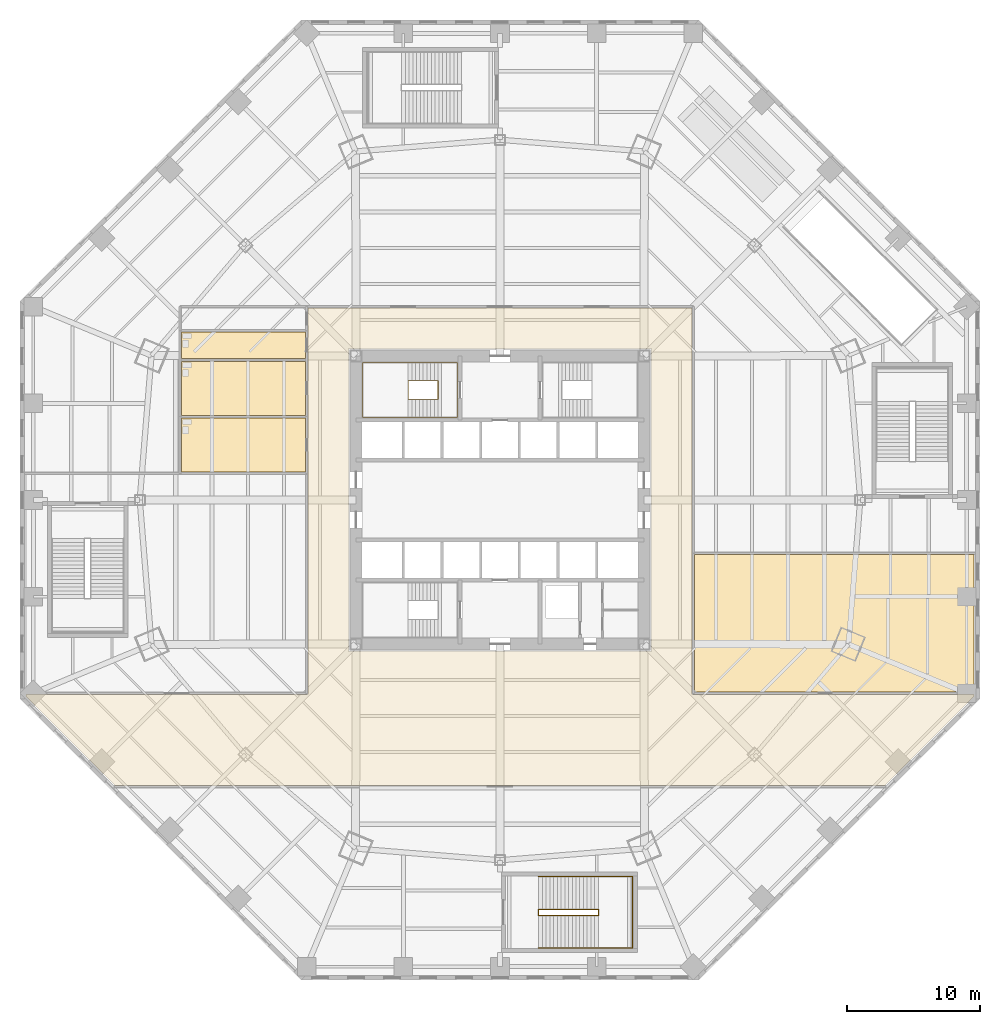
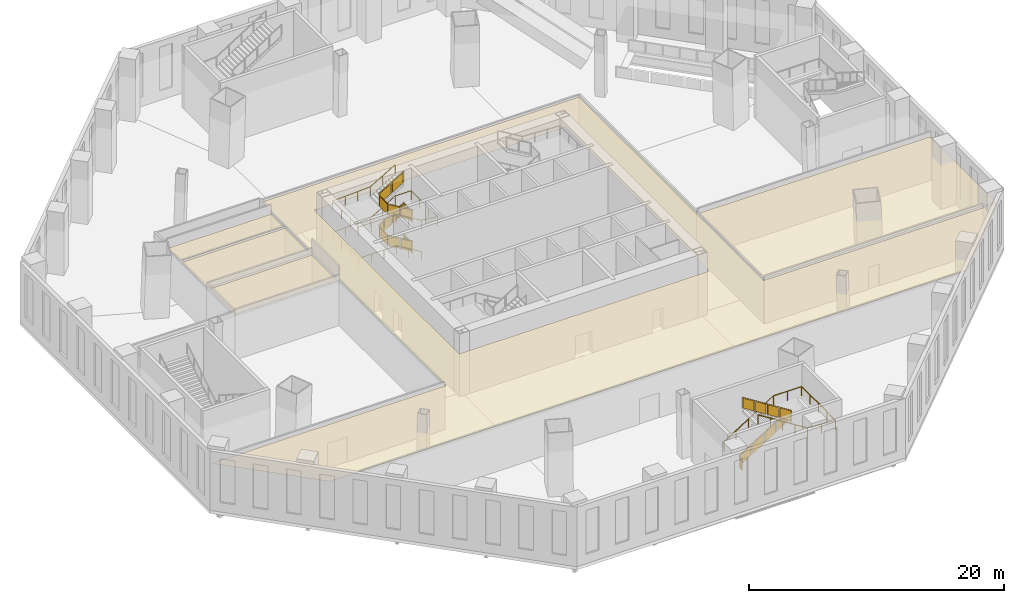
# One storey, part 16 of 20: 5 coverings, 4 railings.
"""IFC4 building model written with IfcOpenShell, lengths in metres."""

from ifc_helpers import new_model, si_unit, direction, frame, origin, origin_2d, place, context, subcontext, project, spatial, polyline, circle, outline, extrude, material, layer, layer_set, type_object, element, save


model = new_model("IFC4")

# Units and contexts
model_context = context("Model", 3, precision=1e-05, world=origin(), true_north=direction((0.0, 1.0)))
body_context = subcontext(model_context, "Body", "Model", "MODEL_VIEW")
ifc_project = project(units=[si_unit("LENGTHUNIT", "METRE"), si_unit("AREAUNIT", "SQUARE_METRE"), si_unit("VOLUMEUNIT", "CUBIC_METRE"), si_unit("PLANEANGLEUNIT", "RADIAN"), si_unit("MASSUNIT", "GRAM", prefix="KILO")], contexts=[model_context])

# Site, building, storey
site_placement = place(None, origin())
site = spatial("IfcSite", under=ifc_project, at=site_placement, CompositionType="ELEMENT")
building_placement = place(site_placement, origin())
building = spatial("IfcBuilding", under=site, at=building_placement, Name="Mashrafa Tower", CompositionType="ELEMENT")
storey_placement = place(building_placement, frame((0.0, 0.0, 7.199951171875)))
storey = spatial("IfcBuildingStorey", under=building, at=storey_placement, Name="L01", CompositionType="ELEMENT", Elevation=7.199951171875)

# Railings
ifc_material_1 = material(Name="Steel guard with glass infill", Category="steel")
railing_type_1 = type_object("IfcRailingType", Name="Stair guard 1100", PredefinedType="GUARDRAIL", material=ifc_material_1)
railing_1_placement = place(storey_placement, frame((-4.64990234375, 8.949951171875, 0.0)))
element("IfcRailing", 1, at=railing_1_placement, inside=storey, type_object=railing_type_1, Name="Stair S1 guard L01", PredefinedType="GUARDRAIL", context=body_context, shape_type="SweptSolid", body=[
    extrude(circle(Radius=0.02392578125, at=origin_2d()), frame((0.0, 0.0, 1.076171875), z_axis=(0.0, -1.0, 0.0), x_axis=(1.0, 0.0, 0.0)), (0.0, 0.0, 1.0), 1.39990234375),
    extrude(circle(Radius=0.02392578125, at=origin_2d()), frame((0.0, -1.39990234375, 1.076171875), z_axis=(0.0, 0.0, 1.0), x_axis=(1.0, 0.0, 0.0)), (0.0, 0.0, 1.0), 0.166748046875),
    extrude(circle(Radius=0.02392578125, at=origin_2d()), frame((0.0, -1.39990234375, 1.24267578125), z_axis=(-0.859305625298, 0.0, 0.511462454469), x_axis=(0.0, -1.0, 0.0)), (0.0, 0.0, 1.0), 2.606689453125),
    extrude(circle(Radius=0.02392578125, at=origin_2d()), frame((-2.239990234375, -1.39990234375, 2.576171875), z_axis=(0.0, 1.0, 0.0), x_axis=(-1.0, 0.0, 0.0)), (0.0, 0.0, 1.0), 1.39990234375),
    extrude(circle(Radius=0.02392578125, at=origin_2d()), frame((-2.239990234375, 0.0, 2.576171875), z_axis=(0.0, 0.0, 1.0), x_axis=(1.0, 0.0, 0.0)), (0.0, 0.0, 1.0), 0.166748046875),
    extrude(circle(Radius=0.02392578125, at=origin_2d()), frame((-2.239990234375, 0.0, 2.74267578125), z_axis=(0.859305625298, 0.0, 0.511462454469), x_axis=(0.0, 1.0, 0.0)), (0.0, 0.0, 1.0), 2.606689453125),
    extrude(circle(Radius=0.02392578125, at=origin_2d()), frame((0.0, 0.0, 4.076171875), z_axis=(0.0, -1.0, 0.0), x_axis=(1.0, 0.0, 0.0)), (0.0, 0.0, 1.0), 1.39990234375),
    extrude(circle(Radius=0.02392578125, at=origin_2d()), frame((0.0, -1.39990234375, 4.076171875), z_axis=(0.0, 0.0, 1.0), x_axis=(1.0, 0.0, 0.0)), (0.0, 0.0, 1.0), 0.166748046875),
    extrude(circle(Radius=0.02392578125, at=origin_2d()), frame((0.0, -1.39990234375, 4.24267578125), z_axis=(-0.859305625298, 0.0, 0.511462454469), x_axis=(0.0, -1.0, 0.0)), (0.0, 0.0, 1.0), 2.606689453125),
    extrude(circle(Radius=0.02392578125, at=origin_2d()), frame((-2.239990234375, -1.39990234375, 5.576171875), z_axis=(0.0, 1.0, 0.0), x_axis=(-1.0, 0.0, 0.0)), (0.0, 0.0, 1.0), 1.39990234375),
    extrude(circle(Radius=0.02392578125, at=origin_2d()), frame((-2.239990234375, 0.0, 5.576171875), z_axis=(0.0, 0.0, 1.0), x_axis=(1.0, 0.0, 0.0)), (0.0, 0.0, 1.0), 0.166748046875),
    extrude(circle(Radius=0.02392578125, at=origin_2d()), frame((-2.239990234375, 0.0, 5.74267578125), z_axis=(0.859305625298, 0.0, 0.511462454469), x_axis=(0.0, 1.0, 0.0)), (0.0, 0.0, 1.0), 2.606689453125),
    extrude(circle(Radius=0.02099609375, at=origin_2d()), origin(), (0.0, 0.0, 1.0), 1.052001953125),
    extrude(circle(Radius=0.02099609375, at=origin_2d()), frame((0.0, -1.39990234375, 0.0)), (0.0, 0.0, 1.0), 1.052001953125),
    extrude(circle(Radius=0.02099609375, at=origin_2d()), frame((0.0, -1.39990234375, 0.166748046875)), (0.0, 0.0, 1.0), 1.052001953125),
    extrude(circle(Radius=0.02099609375, at=origin_2d()), frame((-1.1201171875, -1.39990234375, 0.83349609375)), (0.0, 0.0, 1.0), 1.052001953125),
    extrude(circle(Radius=0.02099609375, at=origin_2d()), frame((-2.239990234375, -1.39990234375, 1.5)), (0.0, 0.0, 1.0), 1.052001953125),
    extrude(circle(Radius=0.02099609375, at=origin_2d()), frame((-2.239990234375, 0.0, 1.5)), (0.0, 0.0, 1.0), 1.052001953125),
    extrude(circle(Radius=0.02099609375, at=origin_2d()), frame((-2.239990234375, 0.0, 1.666748046875)), (0.0, 0.0, 1.0), 1.052001953125),
    extrude(circle(Radius=0.02099609375, at=origin_2d()), frame((-1.1201171875, 0.0, 2.33349609375)), (0.0, 0.0, 1.0), 1.052001953125),
    extrude(circle(Radius=0.02099609375, at=origin_2d()), frame((0.0, 0.0, 3.0)), (0.0, 0.0, 1.0), 1.052001953125),
    extrude(circle(Radius=0.02099609375, at=origin_2d()), frame((0.0, -1.39990234375, 3.0)), (0.0, 0.0, 1.0), 1.052001953125),
    extrude(circle(Radius=0.02099609375, at=origin_2d()), frame((0.0, -1.39990234375, 3.166748046875)), (0.0, 0.0, 1.0), 1.052001953125),
    extrude(circle(Radius=0.02099609375, at=origin_2d()), frame((-1.1201171875, -1.39990234375, 3.83349609375)), (0.0, 0.0, 1.0), 1.052001953125),
    extrude(circle(Radius=0.02099609375, at=origin_2d()), frame((-2.239990234375, -1.39990234375, 4.5)), (0.0, 0.0, 1.0), 1.052001953125),
    extrude(circle(Radius=0.02099609375, at=origin_2d()), frame((-2.239990234375, 0.0, 4.5)), (0.0, 0.0, 1.0), 1.052001953125),
    extrude(circle(Radius=0.02099609375, at=origin_2d()), frame((-2.239990234375, 0.0, 4.666748046875)), (0.0, 0.0, 1.0), 1.052001953125),
    extrude(circle(Radius=0.02099609375, at=origin_2d()), frame((-1.1201171875, 0.0, 5.33349609375)), (0.0, 0.0, 1.0), 1.052001953125),
    extrude(circle(Radius=0.02099609375, at=origin_2d()), frame((0.0, 0.0, 6.0)), (0.0, 0.0, 1.0), 1.052001953125),
    extrude(outline(polyline([(0.071044921875, 0.050048828125), (1.328857421875, 0.050048828125), (1.328857421875, 1.001953125), (0.071044921875, 1.001953125), (0.071044921875, 0.050048828125)])), frame((-0.006103515625, 0.0, 0.0), z_axis=(-1.0, 0.0, 0.0), x_axis=(0.0, -1.0, 0.0)), (0.0, 0.0, 1.0), 0.011962890625),
    extrude(outline(polyline([(0.071044921875, 0.09228515625), (1.049072265625, 0.67431640625), (1.049072265625, 1.62646484375), (0.071044921875, 1.044189453125), (0.071044921875, 0.09228515625)])), frame((0.0, -1.393798828125, 0.166748046875), z_axis=(0.0, 1.0, 0.0), x_axis=(-1.0, 0.0, 0.0)), (0.0, 0.0, 1.0), 0.011962890625),
    extrude(outline(polyline([(1.19091796875, 0.7587890625), (2.1689453125, 1.341064453125), (2.1689453125, 2.29296875), (1.19091796875, 1.7109375), (1.19091796875, 0.7587890625)])), frame((0.0, -1.393798828125, 0.166748046875), z_axis=(0.0, 1.0, 0.0), x_axis=(-1.0, 0.0, 0.0)), (0.0, 0.0, 1.0), 0.011962890625),
    extrude(outline(polyline([(0.071044921875, 0.050048828125), (1.328857421875, 0.050048828125), (1.328857421875, 1.001953125), (0.071044921875, 1.001953125), (0.071044921875, 0.050048828125)])), frame((-2.23388671875, -1.39990234375, 1.5), z_axis=(1.0, 0.0, 0.0), x_axis=(0.0, 1.0, 0.0)), (0.0, 0.0, 1.0), 0.011962890625),
    extrude(outline(polyline([(0.071044921875, 0.09228515625), (1.049072265625, 0.67431640625), (1.049072265625, 1.62646484375), (0.071044921875, 1.044189453125), (0.071044921875, 0.09228515625)])), frame((-2.239990234375, -0.006103515625, 1.666748046875), z_axis=(0.0, -1.0, 0.0), x_axis=(1.0, 0.0, 0.0)), (0.0, 0.0, 1.0), 0.011962890625),
    extrude(outline(polyline([(1.19091796875, 0.7587890625), (2.1689453125, 1.341064453125), (2.1689453125, 2.29296875), (1.19091796875, 1.7109375), (1.19091796875, 0.7587890625)])), frame((-2.239990234375, -0.006103515625, 1.666748046875), z_axis=(0.0, -1.0, 0.0), x_axis=(1.0, 0.0, 0.0)), (0.0, 0.0, 1.0), 0.011962890625),
    extrude(outline(polyline([(0.071044921875, 0.050048828125), (1.328857421875, 0.050048828125), (1.328857421875, 1.001953125), (0.071044921875, 1.001953125), (0.071044921875, 0.050048828125)])), frame((-0.006103515625, 0.0, 3.0), z_axis=(-1.0, 0.0, 0.0), x_axis=(0.0, -1.0, 0.0)), (0.0, 0.0, 1.0), 0.011962890625),
    extrude(outline(polyline([(0.071044921875, 0.09228515625), (1.049072265625, 0.67431640625), (1.049072265625, 1.62646484375), (0.071044921875, 1.044189453125), (0.071044921875, 0.09228515625)])), frame((0.0, -1.393798828125, 3.166748046875), z_axis=(0.0, 1.0, 0.0), x_axis=(-1.0, 0.0, 0.0)), (0.0, 0.0, 1.0), 0.011962890625),
    extrude(outline(polyline([(1.19091796875, 0.7587890625), (2.1689453125, 1.341064453125), (2.1689453125, 2.29296875), (1.19091796875, 1.7109375), (1.19091796875, 0.7587890625)])), frame((0.0, -1.393798828125, 3.166748046875), z_axis=(0.0, 1.0, 0.0), x_axis=(-1.0, 0.0, 0.0)), (0.0, 0.0, 1.0), 0.011962890625),
    extrude(outline(polyline([(0.071044921875, 0.050048828125), (1.328857421875, 0.050048828125), (1.328857421875, 1.001953125), (0.071044921875, 1.001953125), (0.071044921875, 0.050048828125)])), frame((-2.23388671875, -1.39990234375, 4.5), z_axis=(1.0, 0.0, 0.0), x_axis=(0.0, 1.0, 0.0)), (0.0, 0.0, 1.0), 0.011962890625),
    extrude(outline(polyline([(0.071044921875, 0.09228515625), (1.049072265625, 0.67431640625), (1.049072265625, 1.62646484375), (0.071044921875, 1.044189453125), (0.071044921875, 0.09228515625)])), frame((-2.239990234375, -0.006103515625, 4.666748046875), z_axis=(0.0, -1.0, 0.0), x_axis=(1.0, 0.0, 0.0)), (0.0, 0.0, 1.0), 0.011962890625),
    extrude(outline(polyline([(1.19091796875, 0.7587890625), (2.1689453125, 1.341064453125), (2.1689453125, 2.29296875), (1.19091796875, 1.7109375), (1.19091796875, 0.7587890625)])), frame((-2.239990234375, -0.006103515625, 4.666748046875), z_axis=(0.0, -1.0, 0.0), x_axis=(1.0, 0.0, 0.0)), (0.0, 0.0, 1.0), 0.011962890625),
])
railing_2_placement = place(storey_placement, frame((2.89990234375, -31.14990234375, 0.0)))
element("IfcRailing", 2, at=railing_2_placement, inside=storey, type_object=railing_type_1, Name="Stair P4 guard L01", PredefinedType="GUARDRAIL", context=body_context, shape_type="SweptSolid", body=[
    extrude(circle(Radius=0.02392578125, at=origin_2d()), frame((0.0, 0.0, 1.076171875), z_axis=(0.0, 1.0, 0.0), x_axis=(-1.0, 0.0, 0.0)), (0.0, 0.0, 1.0), 0.449951171875),
    extrude(circle(Radius=0.02392578125, at=origin_2d()), frame((0.0, 0.449951171875, 1.076171875), z_axis=(0.0, 0.0, 1.0), x_axis=(1.0, 0.0, 0.0)), (0.0, 0.0, 1.0), 0.176513671875),
    extrude(circle(Radius=0.02392578125, at=origin_2d()), frame((0.0, 0.449951171875, 1.25244140625), z_axis=(0.845997938375, 0.0, 0.533186166611), x_axis=(0.0, 1.0, 0.0)), (0.0, 0.0, 1.0), 5.29541015625),
    extrude(circle(Radius=0.02392578125, at=origin_2d()), frame((4.47998046875, 0.449951171875, 4.076171875), z_axis=(0.0, -1.0, 0.0), x_axis=(1.0, 0.0, 0.0)), (0.0, 0.0, 1.0), 0.449951171875),
    extrude(circle(Radius=0.02392578125, at=origin_2d()), frame((4.47998046875, 0.0, 4.076171875), z_axis=(0.0, 0.0, 1.0), x_axis=(1.0, 0.0, 0.0)), (0.0, 0.0, 1.0), 0.176513671875),
    extrude(circle(Radius=0.02392578125, at=origin_2d()), frame((4.47998046875, 0.0, 4.25244140625), z_axis=(-0.845997938375, 0.0, 0.533186166611), x_axis=(0.0, -1.0, 0.0)), (0.0, 0.0, 1.0), 5.29541015625),
    extrude(circle(Radius=0.02099609375, at=origin_2d()), origin(), (0.0, 0.0, 1.0), 1.052001953125),
    extrude(circle(Radius=0.02099609375, at=origin_2d()), frame((0.0, 0.449951171875, 0.0)), (0.0, 0.0, 1.0), 1.052001953125),
    extrude(circle(Radius=0.02099609375, at=origin_2d()), frame((0.0, 0.449951171875, 0.176513671875)), (0.0, 0.0, 1.0), 1.052001953125),
    extrude(circle(Radius=0.02099609375, at=origin_2d()), frame((1.1201171875, 0.449951171875, 0.88232421875)), (0.0, 0.0, 1.0), 1.052001953125),
    extrude(circle(Radius=0.02099609375, at=origin_2d()), frame((2.239990234375, 0.449951171875, 1.58837890625)), (0.0, 0.0, 1.0), 1.052001953125),
    extrude(circle(Radius=0.02099609375, at=origin_2d()), frame((3.35986328125, 0.449951171875, 2.294189453125)), (0.0, 0.0, 1.0), 1.052001953125),
    extrude(circle(Radius=0.02099609375, at=origin_2d()), frame((4.47998046875, 0.449951171875, 3.0)), (0.0, 0.0, 1.0), 1.052001953125),
    extrude(circle(Radius=0.02099609375, at=origin_2d()), frame((4.47998046875, 0.0, 3.0)), (0.0, 0.0, 1.0), 1.052001953125),
    extrude(circle(Radius=0.02099609375, at=origin_2d()), frame((4.47998046875, 0.0, 3.176513671875)), (0.0, 0.0, 1.0), 1.052001953125),
    extrude(circle(Radius=0.02099609375, at=origin_2d()), frame((3.35986328125, 0.0, 3.88232421875)), (0.0, 0.0, 1.0), 1.052001953125),
    extrude(circle(Radius=0.02099609375, at=origin_2d()), frame((2.239990234375, 0.0, 4.58837890625)), (0.0, 0.0, 1.0), 1.052001953125),
    extrude(circle(Radius=0.02099609375, at=origin_2d()), frame((1.1201171875, 0.0, 5.294189453125)), (0.0, 0.0, 1.0), 1.052001953125),
    extrude(circle(Radius=0.02099609375, at=origin_2d()), frame((0.0, 0.0, 6.0)), (0.0, 0.0, 1.0), 1.052001953125),
    extrude(outline(polyline([(0.071044921875, 0.050048828125), (0.37890625, 0.050048828125), (0.37890625, 1.001953125), (0.071044921875, 1.001953125), (0.071044921875, 0.050048828125)])), frame((0.006103515625, 0.0, 0.0), z_axis=(1.0, 0.0, 0.0), x_axis=(0.0, 1.0, 0.0)), (0.0, 0.0, 1.0), 0.011962890625),
    extrude(outline(polyline([(0.071044921875, 0.0947265625), (1.049072265625, 0.711181640625), (1.049072265625, 1.6630859375), (0.071044921875, 1.046630859375), (0.071044921875, 0.0947265625)])), frame((0.0, 0.44384765625, 0.176513671875), z_axis=(0.0, -1.0, 0.0), x_axis=(1.0, 0.0, 0.0)), (0.0, 0.0, 1.0), 0.011962890625),
    extrude(outline(polyline([(1.19091796875, 0.800537109375), (2.1689453125, 1.4169921875), (2.1689453125, 2.368896484375), (1.19091796875, 1.752685546875), (1.19091796875, 0.800537109375)])), frame((0.0, 0.44384765625, 0.176513671875), z_axis=(0.0, -1.0, 0.0), x_axis=(1.0, 0.0, 0.0)), (0.0, 0.0, 1.0), 0.011962890625),
    extrude(outline(polyline([(2.31103515625, 1.506591796875), (3.2890625, 2.122802734375), (3.2890625, 3.074951171875), (2.31103515625, 2.45849609375), (2.31103515625, 1.506591796875)])), frame((0.0, 0.44384765625, 0.176513671875), z_axis=(0.0, -1.0, 0.0), x_axis=(1.0, 0.0, 0.0)), (0.0, 0.0, 1.0), 0.011962890625),
    extrude(outline(polyline([(3.430908203125, 2.21240234375), (4.408935546875, 2.828857421875), (4.408935546875, 3.78076171875), (3.430908203125, 3.164306640625), (3.430908203125, 2.21240234375)])), frame((0.0, 0.44384765625, 0.176513671875), z_axis=(0.0, -1.0, 0.0), x_axis=(1.0, 0.0, 0.0)), (0.0, 0.0, 1.0), 0.011962890625),
    extrude(outline(polyline([(0.071044921875, 0.050048828125), (0.37890625, 0.050048828125), (0.37890625, 1.001953125), (0.071044921875, 1.001953125), (0.071044921875, 0.050048828125)])), frame((4.473876953125, 0.449951171875, 3.0), z_axis=(-1.0, 0.0, 0.0), x_axis=(0.0, -1.0, 0.0)), (0.0, 0.0, 1.0), 0.011962890625),
    extrude(outline(polyline([(0.071044921875, 0.0947265625), (1.049072265625, 0.711181640625), (1.049072265625, 1.6630859375), (0.071044921875, 1.046630859375), (0.071044921875, 0.0947265625)])), frame((4.47998046875, 0.006103515625, 3.176513671875), z_axis=(0.0, 1.0, 0.0), x_axis=(-1.0, 0.0, 0.0)), (0.0, 0.0, 1.0), 0.011962890625),
    extrude(outline(polyline([(1.19091796875, 0.800537109375), (2.1689453125, 1.4169921875), (2.1689453125, 2.368896484375), (1.19091796875, 1.752685546875), (1.19091796875, 0.800537109375)])), frame((4.47998046875, 0.006103515625, 3.176513671875), z_axis=(0.0, 1.0, 0.0), x_axis=(-1.0, 0.0, 0.0)), (0.0, 0.0, 1.0), 0.011962890625),
    extrude(outline(polyline([(2.31103515625, 1.506591796875), (3.2890625, 2.122802734375), (3.2890625, 3.074951171875), (2.31103515625, 2.45849609375), (2.31103515625, 1.506591796875)])), frame((4.47998046875, 0.006103515625, 3.176513671875), z_axis=(0.0, 1.0, 0.0), x_axis=(-1.0, 0.0, 0.0)), (0.0, 0.0, 1.0), 0.011962890625),
    extrude(outline(polyline([(3.430908203125, 2.21240234375), (4.408935546875, 2.828857421875), (4.408935546875, 3.78076171875), (3.430908203125, 3.164306640625), (3.430908203125, 2.21240234375)])), frame((4.47998046875, 0.006103515625, 3.176513671875), z_axis=(0.0, 1.0, 0.0), x_axis=(-1.0, 0.0, 0.0)), (0.0, 0.0, 1.0), 0.011962890625),
])
ifc_material_2 = material(Name="Steel", Category="steel")
railing_type_2 = type_object("IfcRailingType", Name="Stair handrail 900", PredefinedType="HANDRAIL", material=ifc_material_2)
railing_3_placement = place(storey_placement, frame((-4.64990234375, 6.199951171875, 0.166748046875)))
element("IfcRailing", 3, at=railing_3_placement, inside=storey, type_object=railing_type_2, Name="Stair S1 handrail L01", PredefinedType="HANDRAIL", context=body_context, shape_type="SweptSolid", body=[
    extrude(circle(Radius=0.02392578125, at=origin_2d()), frame((0.0, 0.0, 0.8759765625), z_axis=(-0.859305625298, 0.0, 0.511462454469), x_axis=(0.0, -1.0, 0.0)), (0.0, 0.0, 1.0), 2.606689453125),
    extrude(circle(Radius=0.02392578125, at=origin_2d()), frame((-2.239990234375, 0.0, 2.208984375), z_axis=(-1.0, 0.0, 0.0), x_axis=(0.0, -1.0, 0.0)), (0.0, 0.0, 1.0), 3.41015625),
    extrude(circle(Radius=0.02392578125, at=origin_2d()), frame((-5.650146484375, 0.0, 2.208984375), z_axis=(0.0, 1.0, 0.0), x_axis=(-1.0, 0.0, 0.0)), (0.0, 0.0, 1.0), 4.10009765625),
    extrude(circle(Radius=0.02392578125, at=origin_2d()), frame((-5.650146484375, 4.10009765625, 2.208984375), z_axis=(0.99880665773, 0.0, 0.048839128524), x_axis=(0.0, 1.0, 0.0)), (0.0, 0.0, 1.0), 3.414306640625),
    extrude(circle(Radius=0.02392578125, at=origin_2d()), frame((-2.239990234375, 4.10009765625, 2.3759765625), z_axis=(0.859305625298, 0.0, 0.511462454469), x_axis=(0.0, 1.0, 0.0)), (0.0, 0.0, 1.0), 2.606689453125),
    extrude(circle(Radius=0.02392578125, at=origin_2d()), frame((0.0, 4.10009765625, 3.708984375), z_axis=(1.0, 0.0, 0.0), x_axis=(0.0, 1.0, 0.0)), (0.0, 0.0, 1.0), 1.449951171875),
    extrude(circle(Radius=0.02392578125, at=origin_2d()), frame((1.449951171875, 4.10009765625, 3.708984375), z_axis=(0.0, -1.0, 0.0), x_axis=(1.0, 0.0, 0.0)), (0.0, 0.0, 1.0), 4.10009765625),
    extrude(circle(Radius=0.02392578125, at=origin_2d()), frame((1.449951171875, 0.0, 3.708984375), z_axis=(-0.993452088381, 0.0, 0.114249499304), x_axis=(0.0, -1.0, 0.0)), (0.0, 0.0, 1.0), 1.45947265625),
    extrude(circle(Radius=0.02392578125, at=origin_2d()), frame((0.0, 0.0, 3.8759765625), z_axis=(-0.859305625298, 0.0, 0.511462454469), x_axis=(0.0, -1.0, 0.0)), (0.0, 0.0, 1.0), 2.606689453125),
    extrude(circle(Radius=0.02392578125, at=origin_2d()), frame((-2.239990234375, 0.0, 5.208984375), z_axis=(-1.0, 0.0, 0.0), x_axis=(0.0, -1.0, 0.0)), (0.0, 0.0, 1.0), 3.41015625),
    extrude(circle(Radius=0.02392578125, at=origin_2d()), frame((-5.650146484375, 0.0, 5.208984375), z_axis=(0.0, 1.0, 0.0), x_axis=(-1.0, 0.0, 0.0)), (0.0, 0.0, 1.0), 4.10009765625),
    extrude(circle(Radius=0.02392578125, at=origin_2d()), frame((-5.650146484375, 4.10009765625, 5.208984375), z_axis=(0.99880665773, 0.0, 0.048839128524), x_axis=(0.0, 1.0, 0.0)), (0.0, 0.0, 1.0), 3.414306640625),
    extrude(circle(Radius=0.02392578125, at=origin_2d()), frame((-2.239990234375, 4.10009765625, 5.3759765625), z_axis=(0.859305625298, 0.0, 0.511462454469), x_axis=(0.0, 1.0, 0.0)), (0.0, 0.0, 1.0), 2.606689453125),
    extrude(circle(Radius=0.02099609375, at=origin_2d()), origin(), (0.0, 0.0, 1.0), 0.851806640625),
    extrude(circle(Radius=0.02099609375, at=origin_2d()), frame((-1.1201171875, 0.0, 0.66650390625)), (0.0, 0.0, 1.0), 0.851806640625),
    extrude(circle(Radius=0.02099609375, at=origin_2d()), frame((-2.239990234375, 0.0, 1.333251953125)), (0.0, 0.0, 1.0), 0.851806640625),
    extrude(circle(Radius=0.02099609375, at=origin_2d()), frame((-3.376708984375, 0.0, 1.333251953125)), (0.0, 0.0, 1.0), 0.851806640625),
    extrude(circle(Radius=0.02099609375, at=origin_2d()), frame((-4.513427734375, 0.0, 1.333251953125)), (0.0, 0.0, 1.0), 0.851806640625),
    extrude(circle(Radius=0.02099609375, at=origin_2d()), frame((-5.650146484375, 0.0, 1.333251953125)), (0.0, 0.0, 1.0), 0.851806640625),
    extrude(circle(Radius=0.02099609375, at=origin_2d()), frame((-5.650146484375, 1.36669921875, 1.333251953125)), (0.0, 0.0, 1.0), 0.851806640625),
    extrude(circle(Radius=0.02099609375, at=origin_2d()), frame((-5.650146484375, 2.7333984375, 1.333251953125)), (0.0, 0.0, 1.0), 0.851806640625),
    extrude(circle(Radius=0.02099609375, at=origin_2d()), frame((-5.650146484375, 4.10009765625, 1.333251953125)), (0.0, 0.0, 1.0), 0.851806640625),
    extrude(circle(Radius=0.02099609375, at=origin_2d()), frame((-4.513427734375, 4.10009765625, 1.388916015625)), (0.0, 0.0, 1.0), 0.851806640625),
    extrude(circle(Radius=0.02099609375, at=origin_2d()), frame((-3.376708984375, 4.10009765625, 1.4443359375)), (0.0, 0.0, 1.0), 0.851806640625),
    extrude(circle(Radius=0.02099609375, at=origin_2d()), frame((-2.239990234375, 4.10009765625, 1.5)), (0.0, 0.0, 1.0), 0.851806640625),
    extrude(circle(Radius=0.02099609375, at=origin_2d()), frame((-1.1201171875, 4.10009765625, 2.16650390625)), (0.0, 0.0, 1.0), 0.851806640625),
    extrude(circle(Radius=0.02099609375, at=origin_2d()), frame((0.0, 4.10009765625, 2.833251953125)), (0.0, 0.0, 1.0), 0.851806640625),
    extrude(circle(Radius=0.02099609375, at=origin_2d()), frame((1.449951171875, 4.10009765625, 2.833251953125)), (0.0, 0.0, 1.0), 0.851806640625),
    extrude(circle(Radius=0.02099609375, at=origin_2d()), frame((1.449951171875, 2.7333984375, 2.833251953125)), (0.0, 0.0, 1.0), 0.851806640625),
    extrude(circle(Radius=0.02099609375, at=origin_2d()), frame((1.449951171875, 1.36669921875, 2.833251953125)), (0.0, 0.0, 1.0), 0.851806640625),
    extrude(circle(Radius=0.02099609375, at=origin_2d()), frame((1.449951171875, 0.0, 2.833251953125)), (0.0, 0.0, 1.0), 0.851806640625),
    extrude(circle(Radius=0.02099609375, at=origin_2d()), frame((0.0, 0.0, 3.0)), (0.0, 0.0, 1.0), 0.851806640625),
    extrude(circle(Radius=0.02099609375, at=origin_2d()), frame((-1.1201171875, 0.0, 3.66650390625)), (0.0, 0.0, 1.0), 0.851806640625),
    extrude(circle(Radius=0.02099609375, at=origin_2d()), frame((-2.239990234375, 0.0, 4.333251953125)), (0.0, 0.0, 1.0), 0.851806640625),
    extrude(circle(Radius=0.02099609375, at=origin_2d()), frame((-3.376708984375, 0.0, 4.333251953125)), (0.0, 0.0, 1.0), 0.851806640625),
    extrude(circle(Radius=0.02099609375, at=origin_2d()), frame((-4.513427734375, 0.0, 4.333251953125)), (0.0, 0.0, 1.0), 0.851806640625),
    extrude(circle(Radius=0.02099609375, at=origin_2d()), frame((-5.650146484375, 0.0, 4.333251953125)), (0.0, 0.0, 1.0), 0.851806640625),
    extrude(circle(Radius=0.02099609375, at=origin_2d()), frame((-5.650146484375, 1.36669921875, 4.333251953125)), (0.0, 0.0, 1.0), 0.851806640625),
    extrude(circle(Radius=0.02099609375, at=origin_2d()), frame((-5.650146484375, 2.7333984375, 4.333251953125)), (0.0, 0.0, 1.0), 0.851806640625),
    extrude(circle(Radius=0.02099609375, at=origin_2d()), frame((-5.650146484375, 4.10009765625, 4.333251953125)), (0.0, 0.0, 1.0), 0.851806640625),
    extrude(circle(Radius=0.02099609375, at=origin_2d()), frame((-4.513427734375, 4.10009765625, 4.388916015625)), (0.0, 0.0, 1.0), 0.851806640625),
    extrude(circle(Radius=0.02099609375, at=origin_2d()), frame((-3.376708984375, 4.10009765625, 4.4443359375)), (0.0, 0.0, 1.0), 0.851806640625),
    extrude(circle(Radius=0.02099609375, at=origin_2d()), frame((-2.239990234375, 4.10009765625, 4.5)), (0.0, 0.0, 1.0), 0.851806640625),
    extrude(circle(Radius=0.02099609375, at=origin_2d()), frame((-1.1201171875, 4.10009765625, 5.16650390625)), (0.0, 0.0, 1.0), 0.851806640625),
    extrude(circle(Radius=0.02099609375, at=origin_2d()), frame((0.0, 4.10009765625, 5.833251953125)), (0.0, 0.0, 1.0), 0.851806640625),
])
railing_4_placement = place(storey_placement, frame((2.89990234375, -28.25, 0.176513671875)))
element("IfcRailing", 4, at=railing_4_placement, inside=storey, type_object=railing_type_2, Name="Stair P4 handrail L01", PredefinedType="HANDRAIL", context=body_context, shape_type="SweptSolid", body=[
    extrude(circle(Radius=0.02392578125, at=origin_2d()), frame((0.0, 0.0, 0.8759765625), z_axis=(0.845997938375, 0.0, 0.533186166611), x_axis=(0.0, 1.0, 0.0)), (0.0, 0.0, 1.0), 5.29541015625),
    extrude(circle(Radius=0.02392578125, at=origin_2d()), frame((4.47998046875, 0.0, 3.69921875), z_axis=(1.0, 0.0, 0.0), x_axis=(0.0, 1.0, 0.0)), (0.0, 0.0, 1.0), 2.570068359375),
    extrude(circle(Radius=0.02392578125, at=origin_2d()), frame((7.050048828125, 0.0, 3.69921875), z_axis=(0.0, -1.0, 0.0), x_axis=(1.0, 0.0, 0.0)), (0.0, 0.0, 1.0), 5.35009765625),
    extrude(circle(Radius=0.02392578125, at=origin_2d()), frame((7.050048828125, -5.35009765625, 3.69921875), z_axis=(-0.99764980318, 0.0, 0.068519122988), x_axis=(0.0, -1.0, 0.0)), (0.0, 0.0, 1.0), 2.576171875),
    extrude(circle(Radius=0.02392578125, at=origin_2d()), frame((4.47998046875, -5.35009765625, 3.8759765625), z_axis=(-0.845997938375, 0.0, 0.533186166611), x_axis=(0.0, -1.0, 0.0)), (0.0, 0.0, 1.0), 5.29541015625),
    extrude(circle(Radius=0.02099609375, at=origin_2d()), origin(), (0.0, 0.0, 1.0), 0.851806640625),
    extrude(circle(Radius=0.02099609375, at=origin_2d()), frame((1.1201171875, 0.0, 0.705810546875)), (0.0, 0.0, 1.0), 0.851806640625),
    extrude(circle(Radius=0.02099609375, at=origin_2d()), frame((2.239990234375, 0.0, 1.41162109375)), (0.0, 0.0, 1.0), 0.851806640625),
    extrude(circle(Radius=0.02099609375, at=origin_2d()), frame((3.35986328125, 0.0, 2.11767578125)), (0.0, 0.0, 1.0), 0.851806640625),
    extrude(circle(Radius=0.02099609375, at=origin_2d()), frame((4.47998046875, 0.0, 2.823486328125)), (0.0, 0.0, 1.0), 0.851806640625),
    extrude(circle(Radius=0.02099609375, at=origin_2d()), frame((5.76513671875, 0.0, 2.823486328125)), (0.0, 0.0, 1.0), 0.851806640625),
    extrude(circle(Radius=0.02099609375, at=origin_2d()), frame((7.050048828125, 0.0, 2.823486328125)), (0.0, 0.0, 1.0), 0.851806640625),
    extrude(circle(Radius=0.02099609375, at=origin_2d()), frame((7.050048828125, -1.33740234375, 2.823486328125)), (0.0, 0.0, 1.0), 0.851806640625),
    extrude(circle(Radius=0.02099609375, at=origin_2d()), frame((7.050048828125, -2.675048828125, 2.823486328125)), (0.0, 0.0, 1.0), 0.851806640625),
    extrude(circle(Radius=0.02099609375, at=origin_2d()), frame((7.050048828125, -4.0126953125, 2.823486328125)), (0.0, 0.0, 1.0), 0.851806640625),
    extrude(circle(Radius=0.02099609375, at=origin_2d()), frame((7.050048828125, -5.35009765625, 2.823486328125)), (0.0, 0.0, 1.0), 0.851806640625),
    extrude(circle(Radius=0.02099609375, at=origin_2d()), frame((5.76513671875, -5.35009765625, 2.91162109375)), (0.0, 0.0, 1.0), 0.851806640625),
    extrude(circle(Radius=0.02099609375, at=origin_2d()), frame((4.47998046875, -5.35009765625, 3.0)), (0.0, 0.0, 1.0), 0.851806640625),
    extrude(circle(Radius=0.02099609375, at=origin_2d()), frame((3.35986328125, -5.35009765625, 3.705810546875)), (0.0, 0.0, 1.0), 0.851806640625),
    extrude(circle(Radius=0.02099609375, at=origin_2d()), frame((2.239990234375, -5.35009765625, 4.41162109375)), (0.0, 0.0, 1.0), 0.851806640625),
    extrude(circle(Radius=0.02099609375, at=origin_2d()), frame((1.1201171875, -5.35009765625, 5.11767578125)), (0.0, 0.0, 1.0), 0.851806640625),
    extrude(circle(Radius=0.02099609375, at=origin_2d()), frame((0.0, -5.35009765625, 5.823486328125)), (0.0, 0.0, 1.0), 0.851806640625),
])

# Coverings
ifc_material_3 = material(Name="Mineral fibre tile on suspension grid")
ifc_layer = layer(ifc_material_3, 0.014892578125)
ifc_layer_set = layer_set([ifc_layer], Name="Suspended ceiling mineral tile 15")
covering_type = type_object("IfcCoveringType", Name="Suspended ceiling mineral tile 15", PredefinedType="CEILING", material=ifc_layer_set)
covering_1_placement = place(storey_placement, frame((0.0, 0.0, 4.199951171875)))
element("IfcCovering", 5, at=covering_1_placement, inside=storey, type_object=covering_type, Name="Ceiling WC Female L01", PredefinedType="CEILING", context=body_context, shape_type="SweptSolid", body=[
    extrude(outline(polyline([(-23.89990234375, 6.14990234375), (-14.60009765625, 6.14990234375), (-14.60009765625, 2.10009765625), (-23.89990234375, 2.10009765625), (-23.89990234375, 6.14990234375)])), origin(), (0.0, 0.0, 1.0), 0.01513671875),
])
covering_2_placement = place(storey_placement, frame((0.0, 0.0, 4.199951171875)))
element("IfcCovering", 6, at=covering_2_placement, inside=storey, type_object=covering_type, Name="Ceiling WC Male L01", PredefinedType="CEILING", context=body_context, shape_type="SweptSolid", body=[
    extrude(outline(polyline([(-23.89990234375, 10.39990234375), (-14.60009765625, 10.39990234375), (-14.60009765625, 6.35009765625), (-23.89990234375, 6.35009765625), (-23.89990234375, 10.39990234375)])), origin(), (0.0, 0.0, 1.0), 0.01513671875),
])
covering_3_placement = place(storey_placement, frame((0.0, 0.0, 4.199951171875)))
element("IfcCovering", 7, at=covering_3_placement, inside=storey, type_object=covering_type, Name="Ceiling Accessible WC L01", PredefinedType="CEILING", context=body_context, shape_type="SweptSolid", body=[
    extrude(outline(polyline([(-23.89990234375, 12.60009765625), (-14.60009765625, 12.60009765625), (-14.60009765625, 10.60009765625), (-23.89990234375, 10.60009765625), (-23.89990234375, 12.60009765625)])), origin(), (0.0, 0.0, 1.0), 0.01513671875),
])
covering_4_placement = place(storey_placement, frame((0.0, 0.0, 4.199951171875)))
element("IfcCovering", 8, at=covering_4_placement, inside=storey, type_object=covering_type, Name="Ceiling Exhibition Information Desk L01", PredefinedType="CEILING", context=body_context, shape_type="SweptSolid", body=[
    extrude(outline(polyline([(14.60009765625, -4.10009765625), (35.550048828125, -4.10009765625), (35.550048828125, -14.39990234375), (14.60009765625, -14.39990234375), (14.60009765625, -4.10009765625)])), origin(), (0.0, 0.0, 1.0), 0.01513671875),
])
covering_5_placement = place(storey_placement, frame((0.0, 0.0, 4.199951171875)))
element("IfcCovering", 9, at=covering_5_placement, inside=storey, type_object=covering_type, Name="Ceiling Exhibition Foyer L01", PredefinedType="CEILING", context=body_context, shape_type="SweptSolid", body=[
    extrude(outline(polyline([(-35.550048828125, -14.725341796875), (-35.550048828125, -14.60009765625), (-14.39990234375, -14.60009765625), (-14.39990234375, 14.39990234375), (14.39990234375, 14.39990234375), (14.39990234375, -14.60009765625), (35.550048828125, -14.60009765625), (35.550048828125, -14.725341796875), (28.875244140625, -21.39990234375), (-28.875244140625, -21.39990234375), (-35.550048828125, -14.725341796875)]), holes=[polyline([(-11.35009765625, -11.35009765625), (11.35009765625, -11.35009765625), (11.35009765625, 11.35009765625), (-11.35009765625, 11.35009765625), (-11.35009765625, -11.35009765625)])]), origin(), (0.0, 0.0, 1.0), 0.01513671875),
])

save(model, "model.ifc")
